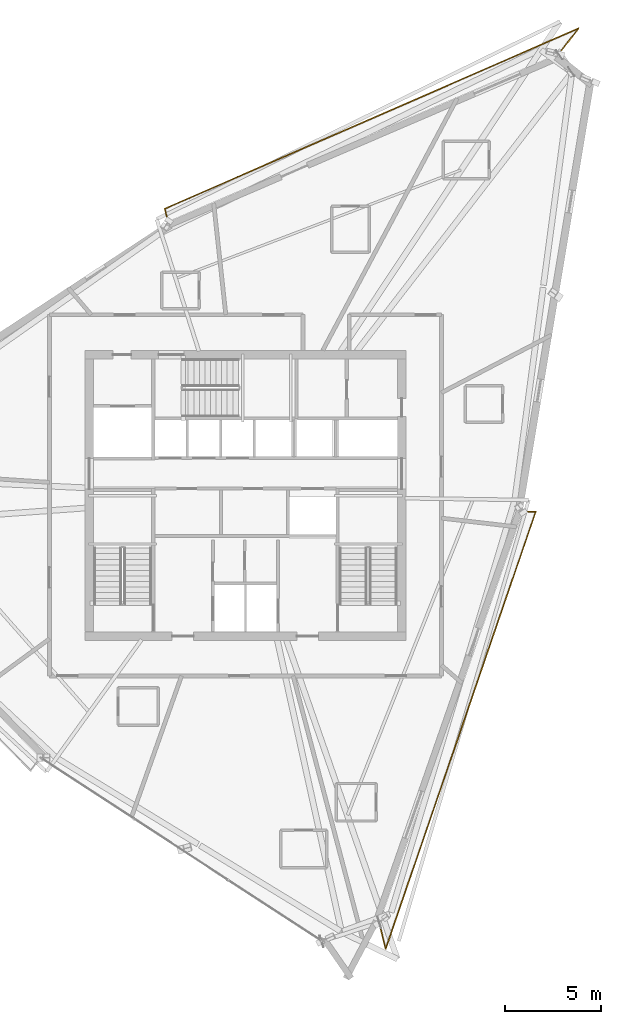
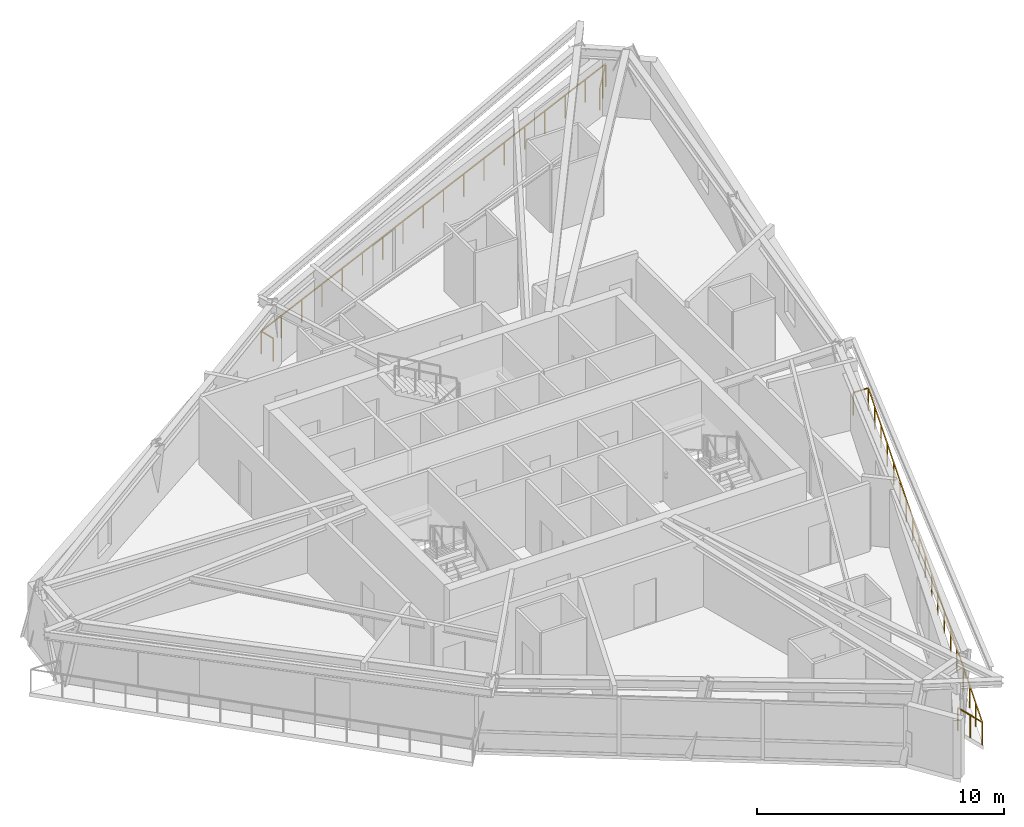
# One storey, part 14 of 14: 2 railings.
"""IFC4 building model written with IfcOpenShell, lengths in metres."""

from ifc_helpers import new_model, si_unit, direction, frame, origin, origin_2d, place, context, subcontext, project, spatial, rectangle, extrude, material, type_object, element, save


model = new_model("IFC4")

# Units and contexts
model_context = context("Model", 3, precision=1e-05, world=origin(), true_north=direction((0.0, 1.0)))
body_context = subcontext(model_context, "Body", "Model", "MODEL_VIEW")
ifc_project = project(units=[si_unit("LENGTHUNIT", "METRE"), si_unit("AREAUNIT", "SQUARE_METRE"), si_unit("VOLUMEUNIT", "CUBIC_METRE"), si_unit("PLANEANGLEUNIT", "RADIAN"), si_unit("MASSUNIT", "GRAM", prefix="KILO")], contexts=[model_context])

# Site, building, storey
site_placement = place(None, origin())
site = spatial("IfcSite", under=ifc_project, at=site_placement, CompositionType="ELEMENT")
building_placement = place(site_placement, origin())
building = spatial("IfcBuilding", under=site, at=building_placement, Name="Olszyna Solenne Hotel", CompositionType="ELEMENT")
storey_placement = place(building_placement, frame((0.0, 0.0, 252.5)))
storey = spatial("IfcBuildingStorey", under=building, at=storey_placement, Name="L67", CompositionType="ELEMENT", Elevation=252.5)

# Railings
ifc_material = material(Name="Anodised bronze aluminium", Category="aluminium")
railing_type = type_object("IfcRailingType", Name="GR-110", PredefinedType="BALUSTRADE", material=ifc_material)
railing_1_placement = place(storey_placement, frame((54.29931640625, 49.564208984375, 0.0)))
element("IfcRailing", 1, at=railing_1_placement, inside=storey, type_object=railing_type, Name="Loggia balcony balustrade guard GR-L67-LG1", PredefinedType="BALUSTRADE", context=body_context, shape_type="SweptSolid", body=[
    extrude(rectangle(XDim=0.048095703125, YDim=0.048095703125, at=origin_2d()), frame((0.0, 0.0, 1.1259765625), z_axis=(0.612691108913, 0.790322469033, 0.0), x_axis=(-0.790322469033, 0.612691108913, 0.0)), (0.0, 0.0, 1.0), 1.69189453125),
    extrude(rectangle(XDim=0.048095703125, YDim=0.048095703125, at=origin_2d()), frame((1.03662109375, 1.337158203125, 1.1259765625), z_axis=(-0.916709630652, -0.399554067768, 0.0), x_axis=(0.399554067768, -0.916709630652, 0.0)), (0.0, 0.0, 1.0), 23.489990234375),
    extrude(rectangle(XDim=0.048095703125, YDim=0.048095703125, at=origin_2d()), frame((-20.496826171875, -8.04833984375, 1.1259765625), z_axis=(0.240915685807, -0.970546048538, 0.0), x_axis=(0.970546048538, 0.240915685807, 0.0)), (0.0, 0.0, 1.0), 0.70947265625),
    extrude(rectangle(XDim=0.0419921875, YDim=0.0419921875, at=origin_2d()), origin(), (0.0, 0.0, 1.0), 1.101806640625),
    extrude(rectangle(XDim=0.0419921875, YDim=0.0419921875, at=origin_2d()), frame((0.518310546875, 0.66845703125, 0.0)), (0.0, 0.0, 1.0), 1.101806640625),
    extrude(rectangle(XDim=0.0419921875, YDim=0.0419921875, at=origin_2d()), frame((1.03662109375, 1.337158203125, 0.0)), (0.0, 0.0, 1.0), 1.101806640625),
    extrude(rectangle(XDim=0.0419921875, YDim=0.0419921875, at=origin_2d()), frame((-0.22998046875, 0.78515625, 0.0)), (0.0, 0.0, 1.0), 1.101806640625),
    extrude(rectangle(XDim=0.0419921875, YDim=0.0419921875, at=origin_2d()), frame((-1.496826171875, 0.23291015625, 0.0)), (0.0, 0.0, 1.0), 1.101806640625),
    extrude(rectangle(XDim=0.0419921875, YDim=0.0419921875, at=origin_2d()), frame((-2.763427734375, -0.319091796875, 0.0)), (0.0, 0.0, 1.0), 1.101806640625),
    extrude(rectangle(XDim=0.0419921875, YDim=0.0419921875, at=origin_2d()), frame((-4.030029296875, -0.87109375, 0.0)), (0.0, 0.0, 1.0), 1.101806640625),
    extrude(rectangle(XDim=0.0419921875, YDim=0.0419921875, at=origin_2d()), frame((-5.296630859375, -1.42333984375, 0.0)), (0.0, 0.0, 1.0), 1.101806640625),
    extrude(rectangle(XDim=0.0419921875, YDim=0.0419921875, at=origin_2d()), frame((-6.5634765625, -1.975341796875, 0.0)), (0.0, 0.0, 1.0), 1.101806640625),
    extrude(rectangle(XDim=0.0419921875, YDim=0.0419921875, at=origin_2d()), frame((-7.830078125, -2.52734375, 0.0)), (0.0, 0.0, 1.0), 1.101806640625),
    extrude(rectangle(XDim=0.0419921875, YDim=0.0419921875, at=origin_2d()), frame((-9.0966796875, -3.07958984375, 0.0)), (0.0, 0.0, 1.0), 1.101806640625),
    extrude(rectangle(XDim=0.0419921875, YDim=0.0419921875, at=origin_2d()), frame((-10.363525390625, -3.631591796875, 0.0)), (0.0, 0.0, 1.0), 1.101806640625),
    extrude(rectangle(XDim=0.0419921875, YDim=0.0419921875, at=origin_2d()), frame((-11.630126953125, -4.183837890625, 0.0)), (0.0, 0.0, 1.0), 1.101806640625),
    extrude(rectangle(XDim=0.0419921875, YDim=0.0419921875, at=origin_2d()), frame((-12.896728515625, -4.73583984375, 0.0)), (0.0, 0.0, 1.0), 1.101806640625),
    extrude(rectangle(XDim=0.0419921875, YDim=0.0419921875, at=origin_2d()), frame((-14.16357421875, -5.287841796875, 0.0)), (0.0, 0.0, 1.0), 1.101806640625),
    extrude(rectangle(XDim=0.0419921875, YDim=0.0419921875, at=origin_2d()), frame((-15.43017578125, -5.840087890625, 0.0)), (0.0, 0.0, 1.0), 1.101806640625),
    extrude(rectangle(XDim=0.0419921875, YDim=0.0419921875, at=origin_2d()), frame((-16.69677734375, -6.39208984375, 0.0)), (0.0, 0.0, 1.0), 1.101806640625),
    extrude(rectangle(XDim=0.0419921875, YDim=0.0419921875, at=origin_2d()), frame((-17.96337890625, -6.944091796875, 0.0)), (0.0, 0.0, 1.0), 1.101806640625),
    extrude(rectangle(XDim=0.0419921875, YDim=0.0419921875, at=origin_2d()), frame((-19.230224609375, -7.496337890625, 0.0)), (0.0, 0.0, 1.0), 1.101806640625),
    extrude(rectangle(XDim=0.0419921875, YDim=0.0419921875, at=origin_2d()), frame((-20.496826171875, -8.04833984375, 0.0)), (0.0, 0.0, 1.0), 1.101806640625),
    extrude(rectangle(XDim=0.0419921875, YDim=0.0419921875, at=origin_2d()), frame((-20.325927734375, -8.73681640625, 0.0)), (0.0, 0.0, 1.0), 1.101806640625),
])
railing_2_placement = place(storey_placement, frame((44.952880859375, 4.364990234375, 0.0)))
element("IfcRailing", 2, at=railing_2_placement, inside=storey, type_object=railing_type, Name="Loggia balcony balustrade guard GR-L67-LG3", PredefinedType="BALUSTRADE", context=body_context, shape_type="SweptSolid", body=[
    extrude(rectangle(XDim=0.048095703125, YDim=0.048095703125, at=origin_2d()), frame((0.0, 0.0, 1.1259765625), z_axis=(0.241280125554, -0.970455512124, 0.0), x_axis=(0.970455512124, 0.241280125554, 0.0)), (0.0, 0.0, 1.0), 1.418701171875),
    extrude(rectangle(XDim=0.048095703125, YDim=0.048095703125, at=origin_2d()), frame((0.34228515625, -1.376708984375, 1.1259765625), z_axis=(0.324608387822, 0.945848505077, 0.0), x_axis=(-0.945848505077, 0.324608387822, 0.0)), (0.0, 0.0, 1.0), 24.05908203125),
    extrude(rectangle(XDim=0.048095703125, YDim=0.048095703125, at=origin_2d()), frame((8.152099609375, 21.379638671875, 1.1259765625), z_axis=(-0.999588904438, 0.028670928208, 0.0), x_axis=(-0.028670928208, -0.999588904438, 0.0)), (0.0, 0.0, 1.0), 0.689697265625),
    extrude(rectangle(XDim=0.0419921875, YDim=0.0419921875, at=origin_2d()), origin(), (0.0, 0.0, 1.0), 1.101806640625),
    extrude(rectangle(XDim=0.0419921875, YDim=0.0419921875, at=origin_2d()), frame((0.171142578125, -0.6884765625, 0.0)), (0.0, 0.0, 1.0), 1.101806640625),
    extrude(rectangle(XDim=0.0419921875, YDim=0.0419921875, at=origin_2d()), frame((0.34228515625, -1.376708984375, 0.0)), (0.0, 0.0, 1.0), 1.101806640625),
    extrude(rectangle(XDim=0.0419921875, YDim=0.0419921875, at=origin_2d()), frame((0.776123046875, -0.112548828125, 0.0)), (0.0, 0.0, 1.0), 1.101806640625),
    extrude(rectangle(XDim=0.0419921875, YDim=0.0419921875, at=origin_2d()), frame((1.2099609375, 1.15185546875, 0.0)), (0.0, 0.0, 1.0), 1.101806640625),
    extrude(rectangle(XDim=0.0419921875, YDim=0.0419921875, at=origin_2d()), frame((1.64404296875, 2.416015625, 0.0)), (0.0, 0.0, 1.0), 1.101806640625),
    extrude(rectangle(XDim=0.0419921875, YDim=0.0419921875, at=origin_2d()), frame((2.077880859375, 3.68017578125, 0.0)), (0.0, 0.0, 1.0), 1.101806640625),
    extrude(rectangle(XDim=0.0419921875, YDim=0.0419921875, at=origin_2d()), frame((2.51171875, 4.944580078125, 0.0)), (0.0, 0.0, 1.0), 1.101806640625),
    extrude(rectangle(XDim=0.0419921875, YDim=0.0419921875, at=origin_2d()), frame((2.945556640625, 6.208740234375, 0.0)), (0.0, 0.0, 1.0), 1.101806640625),
    extrude(rectangle(XDim=0.0419921875, YDim=0.0419921875, at=origin_2d()), frame((3.37939453125, 7.472900390625, 0.0)), (0.0, 0.0, 1.0), 1.101806640625),
    extrude(rectangle(XDim=0.0419921875, YDim=0.0419921875, at=origin_2d()), frame((3.813232421875, 8.7373046875, 0.0)), (0.0, 0.0, 1.0), 1.101806640625),
    extrude(rectangle(XDim=0.0419921875, YDim=0.0419921875, at=origin_2d()), frame((4.2470703125, 10.00146484375, 0.0)), (0.0, 0.0, 1.0), 1.101806640625),
    extrude(rectangle(XDim=0.0419921875, YDim=0.0419921875, at=origin_2d()), frame((4.68115234375, 11.265625, 0.0)), (0.0, 0.0, 1.0), 1.101806640625),
    extrude(rectangle(XDim=0.0419921875, YDim=0.0419921875, at=origin_2d()), frame((5.114990234375, 12.530029296875, 0.0)), (0.0, 0.0, 1.0), 1.101806640625),
    extrude(rectangle(XDim=0.0419921875, YDim=0.0419921875, at=origin_2d()), frame((5.548828125, 13.794189453125, 0.0)), (0.0, 0.0, 1.0), 1.101806640625),
    extrude(rectangle(XDim=0.0419921875, YDim=0.0419921875, at=origin_2d()), frame((5.982666015625, 15.058349609375, 0.0)), (0.0, 0.0, 1.0), 1.101806640625),
    extrude(rectangle(XDim=0.0419921875, YDim=0.0419921875, at=origin_2d()), frame((6.41650390625, 16.32275390625, 0.0)), (0.0, 0.0, 1.0), 1.101806640625),
    extrude(rectangle(XDim=0.0419921875, YDim=0.0419921875, at=origin_2d()), frame((6.8505859375, 17.5869140625, 0.0)), (0.0, 0.0, 1.0), 1.101806640625),
    extrude(rectangle(XDim=0.0419921875, YDim=0.0419921875, at=origin_2d()), frame((7.284423828125, 18.85107421875, 0.0)), (0.0, 0.0, 1.0), 1.101806640625),
    extrude(rectangle(XDim=0.0419921875, YDim=0.0419921875, at=origin_2d()), frame((7.71826171875, 20.115478515625, 0.0)), (0.0, 0.0, 1.0), 1.101806640625),
    extrude(rectangle(XDim=0.0419921875, YDim=0.0419921875, at=origin_2d()), frame((8.152099609375, 21.379638671875, 0.0)), (0.0, 0.0, 1.0), 1.101806640625),
    extrude(rectangle(XDim=0.0419921875, YDim=0.0419921875, at=origin_2d()), frame((7.462646484375, 21.3994140625, 0.0)), (0.0, 0.0, 1.0), 1.101806640625),
])

save(model, "model.ifc")
